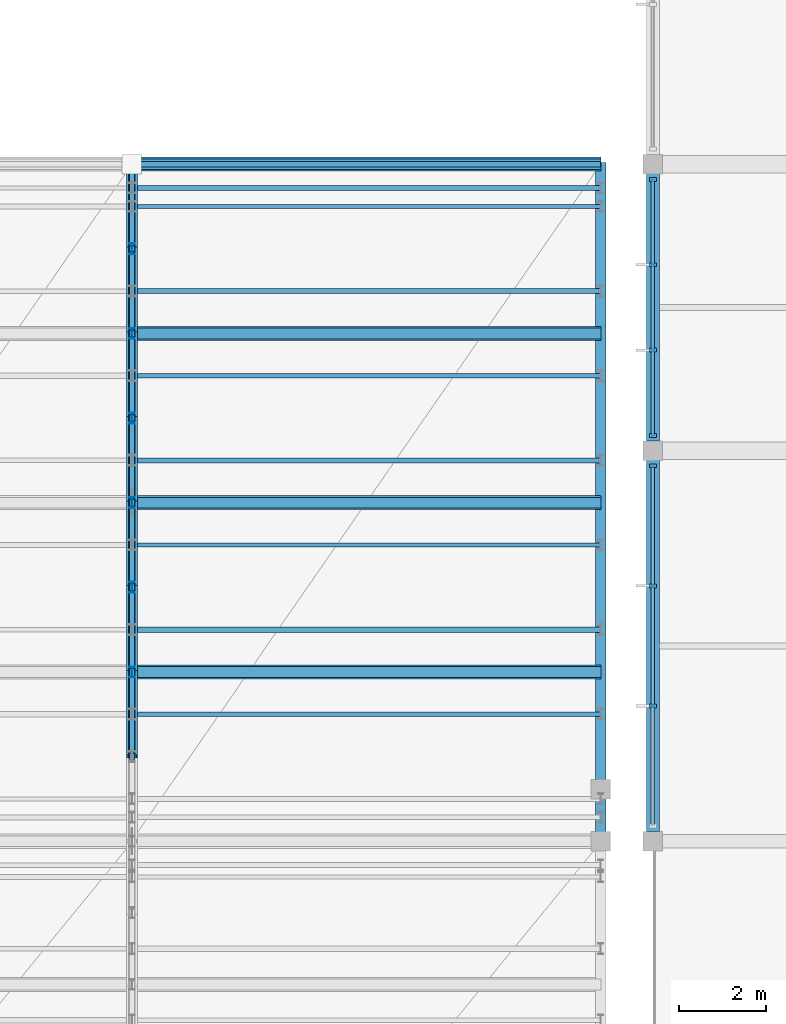
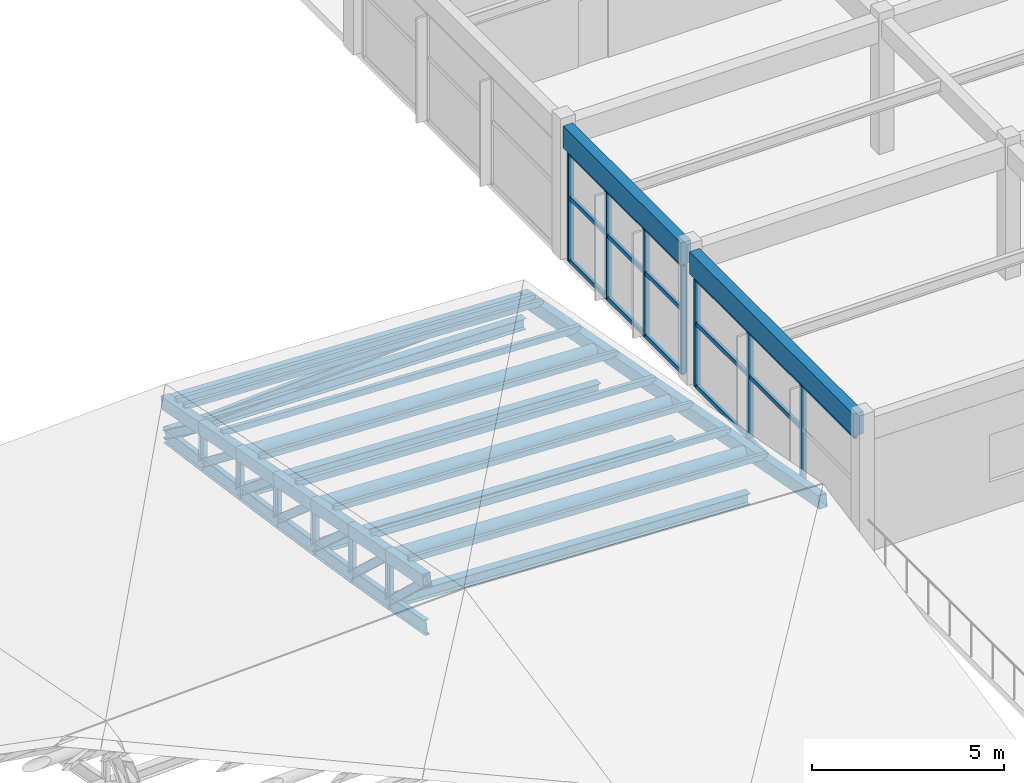
# One storey, part 36 of 89: 49 members, 17 beams, 2 elements without a shape of their own.
"""IFC4 building model written with IfcOpenShell, lengths in metres."""

from ifc_helpers import new_model, si_unit, direction, frame, origin, origin_2d, place, context, subcontext, project, spatial, rectangle, hollow_rectangle, hollow_circle, i_section, extrude, material, material_profile, profile_set, type_object, element, aggregate, save


model = new_model("IFC4")

# Units and contexts
model_context = context("Model", 3, precision=1e-05, world=origin(), true_north=direction((0.0, 1.0)))
body_context = subcontext(model_context, "Body", "Model", "MODEL_VIEW")
ifc_project = project(units=[si_unit("LENGTHUNIT", "METRE"), si_unit("AREAUNIT", "SQUARE_METRE"), si_unit("VOLUMEUNIT", "CUBIC_METRE"), si_unit("PLANEANGLEUNIT", "RADIAN"), si_unit("MASSUNIT", "GRAM", prefix="KILO")], contexts=[model_context])

# Site, building, storey
site_placement = place(None, origin())
site = spatial("IfcSite", under=ifc_project, at=site_placement, CompositionType="ELEMENT")
building_placement = place(site_placement, origin())
building = spatial("IfcBuilding", under=site, at=building_placement, Name="Suirenkawa Promenade Aquatics Centre", CompositionType="ELEMENT")
storey_placement = place(building_placement, frame((0.0, 0.0, 9.60009765625)))
storey = spatial("IfcBuildingStorey", under=building, at=storey_placement, Name="L02", CompositionType="ELEMENT", Elevation=9.60009765625)

# Beams
ifc_material_1 = material(Name="Concrete M40", Category="concrete")
ifc_material_profile_1 = material_profile(ifc_material_1, rectangle(XDim=0.300048828125, YDim=0.699951171875, at=origin_2d()), Name="RC SPANDREL 300x700", Category="concrete")
ifc_profile_set_1 = profile_set([ifc_material_profile_1], Name="Concrete M40")
beam_type_1 = type_object("IfcBeamType", Name="BT-SPANDREL-300x700", PredefinedType="SPANDREL", material=ifc_profile_set_1)
beam_1_placement = place(storey_placement, frame((156.0, 13.4189453125, 3.89990234375), z_axis=(0.0, 1.0, 0.0), x_axis=(-1.0, 0.0, 0.0)))
element("IfcBeam", 1, at=beam_1_placement, inside=storey, type_object=beam_type_1, Name="Floor beam SP-01 BM-1761", PredefinedType="SPANDREL", context=body_context, shape_type="SweptSolid", body=[
    extrude(rectangle(XDim=0.300048828125, YDim=0.699951171875, at=origin_2d()), origin(), (0.0, 0.0, 1.0), 8.56201171875),
])
beam_2_placement = place(storey_placement, frame((156.0, 22.4189453125, 3.89990234375), z_axis=(0.0, 1.0, 0.0), x_axis=(-1.0, 0.0, 0.0)))
element("IfcBeam", 2, at=beam_2_placement, inside=storey, type_object=beam_type_1, Name="Floor beam SP-01 BM-1762", PredefinedType="SPANDREL", context=body_context, shape_type="SweptSolid", body=[
    extrude(rectangle(XDim=0.300048828125, YDim=0.699951171875, at=origin_2d()), origin(), (0.0, 0.0, 1.0), 6.162109375),
])
ifc_material_2 = material(Name="Steel IS 2062 E350 (Grade 350)", Category="steel")
ifc_material_profile_2 = material_profile(ifc_material_2, i_section(OverallWidth=0.14990234375, OverallDepth=0.449951171875, WebThickness=0.009033203125, FlangeThickness=0.01708984375, at=origin_2d()), Name="ISMB 450", Category="steel")
ifc_profile_set_2 = profile_set([ifc_material_profile_2], Name="Steel IS 2062 E350 (Grade 350)")
beam_type_2 = type_object("IfcBeamType", Name="BT-STL-ISMB450", PredefinedType="BEAM", material=ifc_profile_set_2)
beam_3_placement = place(storey_placement, frame((144.0, 15.14990234375, 0.572998046875), z_axis=(0.0, 0.984179886777, -0.177172092787), x_axis=(-1.0, 0.0, 0.0)))
element("IfcBeam", 3, at=beam_3_placement, inside=storey, type_object=beam_type_2, Name="ROOF TRUSS V3 bottom chord BM-08 BM-2786", PredefinedType="BEAM", context=body_context, shape_type="SweptSolid", body=[
    extrude(i_section(OverallWidth=0.14990234375, OverallDepth=0.449951171875, WebThickness=0.009033203125, FlangeThickness=0.01708984375, at=origin_2d()), origin(), (0.0, 0.0, 1.0), 1.9814453125),
])
beam_4_placement = place(storey_placement, frame((144.0, 17.10009765625, 0.221923828125), z_axis=(0.0, 0.98589233015, -0.167380743669), x_axis=(-1.0, 0.0, 0.0)))
element("IfcBeam", 4, at=beam_4_placement, inside=storey, type_object=beam_type_2, Name="ROOF TRUSS V3 bottom chord BM-08 BM-2788", PredefinedType="BEAM", context=body_context, shape_type="SweptSolid", body=[
    extrude(i_section(OverallWidth=0.14990234375, OverallDepth=0.449951171875, WebThickness=0.009033203125, FlangeThickness=0.01708984375, at=origin_2d()), origin(), (0.0, 0.0, 1.0), 1.977783203125),
])
beam_5_placement = place(storey_placement, frame((144.0, 19.050048828125, -0.109130859375), z_axis=(0.0, 0.98728433575, -0.158964273917), x_axis=(-1.0, 0.0, 0.0)))
element("IfcBeam", 5, at=beam_5_placement, inside=storey, type_object=beam_type_2, Name="ROOF TRUSS V3 bottom chord BM-08 BM-2790", PredefinedType="BEAM", context=body_context, shape_type="SweptSolid", body=[
    extrude(i_section(OverallWidth=0.14990234375, OverallDepth=0.449951171875, WebThickness=0.009033203125, FlangeThickness=0.01708984375, at=origin_2d()), origin(), (0.0, 0.0, 1.0), 1.97509765625),
])
beam_6_placement = place(storey_placement, frame((144.0, 21.0, -0.423095703125), z_axis=(0.0, 0.988441697341, -0.151601487322), x_axis=(-1.0, 0.0, 0.0)))
element("IfcBeam", 6, at=beam_6_placement, inside=storey, type_object=beam_type_2, Name="ROOF TRUSS V3 bottom chord BM-08 BM-2792", PredefinedType="BEAM", context=body_context, shape_type="SweptSolid", body=[
    extrude(i_section(OverallWidth=0.14990234375, OverallDepth=0.449951171875, WebThickness=0.009033203125, FlangeThickness=0.01708984375, at=origin_2d()), origin(), (0.0, 0.0, 1.0), 1.97265625),
])
beam_7_placement = place(storey_placement, frame((144.0, 22.949951171875, -0.72216796875), z_axis=(0.0, 0.989422501766, -0.145062445169), x_axis=(-1.0, 0.0, 0.0)))
element("IfcBeam", 7, at=beam_7_placement, inside=storey, type_object=beam_type_2, Name="ROOF TRUSS V3 bottom chord BM-08 BM-2794", PredefinedType="BEAM", context=body_context, shape_type="SweptSolid", body=[
    extrude(i_section(OverallWidth=0.14990234375, OverallDepth=0.449951171875, WebThickness=0.009033203125, FlangeThickness=0.01708984375, at=origin_2d()), origin(), (0.0, 0.0, 1.0), 1.970703125),
])
beam_8_placement = place(storey_placement, frame((144.0, 24.89990234375, -1.008056640625), z_axis=(0.0, 0.989986639719, -0.141161089464), x_axis=(-1.0, 0.0, 0.0)))
element("IfcBeam", 8, at=beam_8_placement, inside=storey, type_object=beam_type_2, Name="ROOF TRUSS V3 bottom chord BM-08 BM-2796", PredefinedType="BEAM", context=body_context, shape_type="SweptSolid", body=[
    extrude(i_section(OverallWidth=0.14990234375, OverallDepth=0.449951171875, WebThickness=0.009033203125, FlangeThickness=0.01708984375, at=origin_2d()), origin(), (0.0, 0.0, 1.0), 1.969970703125),
])
beam_9_placement = place(storey_placement, frame((144.0, 26.85009765625, -1.2861328125), z_axis=(0.0, 0.990276604639, -0.139112351372), x_axis=(-1.0, 0.0, 0.0)))
element("IfcBeam", 9, at=beam_9_placement, inside=storey, type_object=beam_type_2, Name="ROOF TRUSS V3 bottom chord BM-08 BM-2798", PredefinedType="BEAM", context=body_context, shape_type="SweptSolid", body=[
    extrude(i_section(OverallWidth=0.14990234375, OverallDepth=0.449951171875, WebThickness=0.009033203125, FlangeThickness=0.01708984375, at=origin_2d()), origin(), (0.0, 0.0, 1.0), 1.968994140625),
])
ifc_material_profile_3 = material_profile(ifc_material_2, hollow_rectangle(XDim=0.25, YDim=0.39990234375, WallThickness=0.01611328125, at=origin_2d()), Name="RHS 400x250x16", Category="steel")
ifc_profile_set_3 = profile_set([ifc_material_profile_3], Name="Steel IS 2062 E350 (Grade 350)")
beam_type_3 = type_object("IfcBeamType", Name="BT-TC-RHS400", PredefinedType="BEAM", material=ifc_profile_set_3)
for number, where, z_axis, x_axis, name in (
    (10, (144.0, 15.14990234375, 2.07080078125), (0.0, 0.982665459521, -0.185387687468), (-1.0, 0.0, 0.0), "ROOF TRUSS V3 top chord TC-03 BM-2785"),
    (11, (144.0, 17.10009765625, 1.702880859375), (0.0, 0.982571460273, -0.185885248087), (-1.0, 0.0, 0.0), "ROOF TRUSS V3 top chord TC-03 BM-2787"),
    (12, (144.0, 19.050048828125, 1.333984375), (0.0, 0.98254898431, -0.186004014558), (-1.0, 0.0, 0.0), "ROOF TRUSS V3 top chord TC-03 BM-2789"),
    (13, (144.0, 21.0, 0.96484375), (0.0, 0.982571460273, -0.185885248087), (-1.0, 0.0, 0.0), "ROOF TRUSS V3 top chord TC-03 BM-2791"),
):
    element("IfcBeam", number, at=place(storey_placement, frame(where, z_axis=z_axis, x_axis=x_axis)), inside=storey, type_object=beam_type_3, Name=name, PredefinedType="BEAM", context=body_context, shape_type="SweptSolid", body=[
        extrude(hollow_rectangle(XDim=0.25, YDim=0.39990234375, WallThickness=0.01611328125, at=origin_2d()), origin(), (0.0, 0.0, 1.0), 1.984619140625),
    ])
beam_10_placement = place(storey_placement, frame((144.0, 22.949951171875, 0.595947265625), z_axis=(0.0, 0.982638808178, -0.185528899804), x_axis=(-1.0, 0.0, 0.0)))
element("IfcBeam", 14, at=beam_10_placement, inside=storey, type_object=beam_type_3, Name="ROOF TRUSS V3 top chord TC-03 BM-2793", PredefinedType="BEAM", context=body_context, shape_type="SweptSolid", body=[
    extrude(hollow_rectangle(XDim=0.25, YDim=0.39990234375, WallThickness=0.01611328125, at=origin_2d()), origin(), (0.0, 0.0, 1.0), 1.984375),
])
beam_11_placement = place(storey_placement, frame((144.0, 24.89990234375, 0.227783203125), z_axis=(0.0, 0.982575710299, -0.185862781455), x_axis=(-1.0, 0.0, 0.0)))
element("IfcBeam", 15, at=beam_11_placement, inside=storey, type_object=beam_type_3, Name="ROOF TRUSS V3 top chord TC-03 BM-2795", PredefinedType="BEAM", context=body_context, shape_type="SweptSolid", body=[
    extrude(hollow_rectangle(XDim=0.25, YDim=0.39990234375, WallThickness=0.01611328125, at=origin_2d()), origin(), (0.0, 0.0, 1.0), 1.98486328125),
])
beam_12_placement = place(storey_placement, frame((144.0, 26.85009765625, -0.14111328125), z_axis=(0.0, 0.982571460273, -0.185885248087), x_axis=(-1.0, 0.0, 0.0)))
element("IfcBeam", 16, at=beam_12_placement, inside=storey, type_object=beam_type_3, Name="ROOF TRUSS V3 top chord TC-03 BM-2797", PredefinedType="BEAM", context=body_context, shape_type="SweptSolid", body=[
    extrude(hollow_rectangle(XDim=0.25, YDim=0.39990234375, WallThickness=0.01611328125, at=origin_2d()), origin(), (0.0, 0.0, 1.0), 1.984619140625),
])
beam_13_placement = place(storey_placement, frame((154.800048828125, 13.199951171875, 1.989990234375), z_axis=(0.0, 0.982583755241, -0.185820246304), x_axis=(-1.0, 0.0, 0.0)))
element("IfcBeam", 17, at=beam_13_placement, inside=storey, type_object=beam_type_3, Name="ROOF TRUSS V3 top chord TC-03 BM-2800", PredefinedType="BEAM", context=body_context, shape_type="SweptSolid", body=[
    extrude(hollow_rectangle(XDim=0.25, YDim=0.39990234375, WallThickness=0.01611328125, at=origin_2d()), origin(), (0.0, 0.0, 1.0), 15.876708984375),
])

# Curtain wall, members
ifc_material_3 = material(Name="Anodised aluminium 6063-T6", Category="aluminium")
curtain_wall_type_1 = type_object("IfcCurtainWallType", Name="CWAT-V4WL02-36", PredefinedType="NOTDEFINED", material=ifc_material_3)
curtain_wall_1_placement = place(storey_placement, origin())
curtain_wall_1 = element("IfcCurtainWall", 18, at=curtain_wall_1_placement, inside=storey, type_object=curtain_wall_type_1, Name="Curtain wall CWA-36 CW-079", PredefinedType="NOTDEFINED")
ifc_material_profile_4 = material_profile(ifc_material_3, rectangle(XDim=0.090087890625, YDim=0.159912109375, at=origin_2d()), Name="ALU MULL 90x160", Category="aluminium")
ifc_profile_set_4 = profile_set([ifc_material_profile_4], Name="Anodised aluminium 6063-T6")
member_type_1 = type_object("IfcMemberType", Name="CWM-160x90", PredefinedType="MULLION", material=ifc_profile_set_4)
member_1_placement = place(storey_placement, frame((156.0, 16.31640625, 0.0), z_axis=(0.0, 0.0, 1.0), x_axis=(0.0, 1.0, 0.0)))
member_1 = element("IfcMember", 19, at=member_1_placement, type_object=member_type_1, Name="Mullion ML-03 CWM-01568", PredefinedType="MULLION", context=body_context, shape_type="SweptSolid", body=[
    extrude(rectangle(XDim=0.090087890625, YDim=0.159912109375, at=origin_2d()), origin(), (0.0, 0.0, 1.0), 3.419921875),
])
member_2_placement = place(storey_placement, frame((156.0, 19.083740234375, 0.0), z_axis=(0.0, 0.0, 1.0), x_axis=(0.0, 1.0, 0.0)))
member_2 = element("IfcMember", 20, at=member_2_placement, type_object=member_type_1, Name="Mullion ML-03 CWM-01569", PredefinedType="MULLION", context=body_context, shape_type="SweptSolid", body=[
    extrude(rectangle(XDim=0.090087890625, YDim=0.159912109375, at=origin_2d()), origin(), (0.0, 0.0, 1.0), 3.419921875),
])
member_3_placement = place(storey_placement, frame((156.0, 21.85107421875, 0.0), z_axis=(0.0, 0.0, 1.0), x_axis=(0.0, 1.0, 0.0)))
member_3 = element("IfcMember", 21, at=member_3_placement, type_object=member_type_1, Name="Mullion ML-03 CWM-01570", PredefinedType="MULLION", context=body_context, shape_type="SweptSolid", body=[
    extrude(rectangle(XDim=0.090087890625, YDim=0.159912109375, at=origin_2d()), origin(), (0.0, 0.0, 1.0), 3.419921875),
])

curtain_wall_type_2 = type_object("IfcCurtainWallType", Name="CWAT-V4WL02-38", PredefinedType="NOTDEFINED", material=ifc_material_3)
curtain_wall_2_placement = place(storey_placement, origin())
curtain_wall_2 = element("IfcCurtainWall", 22, at=curtain_wall_2_placement, inside=storey, type_object=curtain_wall_type_2, Name="Curtain wall CWA-38 CW-081", PredefinedType="NOTDEFINED")
member_4_placement = place(storey_placement, frame((156.0, 22.549072265625, 0.0), z_axis=(0.0, 0.0, 1.0), x_axis=(0.0, 1.0, 0.0)))
member_4 = element("IfcMember", 23, at=member_4_placement, type_object=member_type_1, Name="Mullion ML-03 CWM-01601", PredefinedType="MULLION", context=body_context, shape_type="SweptSolid", body=[
    extrude(rectangle(XDim=0.090087890625, YDim=0.159912109375, at=origin_2d()), origin(), (0.0, 0.0, 1.0), 3.419921875),
])
member_5_placement = place(storey_placement, frame((156.0, 24.516357421875, 0.0), z_axis=(0.0, 0.0, 1.0), x_axis=(0.0, 1.0, 0.0)))
member_5 = element("IfcMember", 24, at=member_5_placement, type_object=member_type_1, Name="Mullion ML-03 CWM-01602", PredefinedType="MULLION", context=body_context, shape_type="SweptSolid", body=[
    extrude(rectangle(XDim=0.090087890625, YDim=0.159912109375, at=origin_2d()), origin(), (0.0, 0.0, 1.0), 3.419921875),
])
member_6_placement = place(storey_placement, frame((156.0, 26.483642578125, 0.0), z_axis=(0.0, 0.0, 1.0), x_axis=(0.0, 1.0, 0.0)))
member_6 = element("IfcMember", 25, at=member_6_placement, type_object=member_type_1, Name="Mullion ML-03 CWM-01603", PredefinedType="MULLION", context=body_context, shape_type="SweptSolid", body=[
    extrude(rectangle(XDim=0.090087890625, YDim=0.159912109375, at=origin_2d()), origin(), (0.0, 0.0, 1.0), 3.419921875),
])
member_7_placement = place(storey_placement, frame((156.0, 28.450927734375, 0.0), z_axis=(0.0, 0.0, 1.0), x_axis=(0.0, 1.0, 0.0)))
member_7 = element("IfcMember", 26, at=member_7_placement, type_object=member_type_1, Name="Mullion ML-03 CWM-01604", PredefinedType="MULLION", context=body_context, shape_type="SweptSolid", body=[
    extrude(rectangle(XDim=0.090087890625, YDim=0.159912109375, at=origin_2d()), origin(), (0.0, 0.0, 1.0), 3.419921875),
])

# Member
ifc_material_profile_5 = material_profile(ifc_material_3, rectangle(XDim=0.090087890625, YDim=0.1298828125, at=origin_2d()), Name="ALU TRAN 90x130", Category="aluminium")
ifc_profile_set_5 = profile_set([ifc_material_profile_5], Name="Anodised aluminium 6063-T6")
member_type_2 = type_object("IfcMemberType", Name="CWT-130x90", PredefinedType="USERDEFINED", material=ifc_profile_set_5)
member_8_placement = place(storey_placement, frame((156.0, 16.31640625, 0.0), z_axis=(0.0, 1.0, 0.0), x_axis=(-1.0, 0.0, 0.0)))
member_8 = element("IfcMember", 27, at=member_8_placement, type_object=member_type_2, Name="Transom TR-03 CWT-01572", ObjectType="TRANSOM", PredefinedType="USERDEFINED", context=body_context, shape_type="SweptSolid", body=[
    extrude(rectangle(XDim=0.090087890625, YDim=0.1298828125, at=origin_2d()), origin(), (0.0, 0.0, 1.0), 2.767333984375),
])

member_9_placement = place(storey_placement, frame((156.0, 19.083740234375, 0.0), z_axis=(0.0, 1.0, 0.0), x_axis=(-1.0, 0.0, 0.0)))
member_9 = element("IfcMember", 28, at=member_9_placement, type_object=member_type_2, Name="Transom TR-03 CWT-01573", ObjectType="TRANSOM", PredefinedType="USERDEFINED", context=body_context, shape_type="SweptSolid", body=[
    extrude(rectangle(XDim=0.090087890625, YDim=0.1298828125, at=origin_2d()), origin(), (0.0, 0.0, 1.0), 2.767333984375),
])

member_10_placement = place(storey_placement, frame((156.0, 16.31640625, 2.0), z_axis=(0.0, 1.0, 0.0), x_axis=(-1.0, 0.0, 0.0)))
member_10 = element("IfcMember", 29, at=member_10_placement, type_object=member_type_2, Name="Transom TR-03 CWT-01575", ObjectType="TRANSOM", PredefinedType="USERDEFINED", context=body_context, shape_type="SweptSolid", body=[
    extrude(rectangle(XDim=0.090087890625, YDim=0.1298828125, at=origin_2d()), origin(), (0.0, 0.0, 1.0), 2.767333984375),
])

member_11_placement = place(storey_placement, frame((156.0, 19.083740234375, 2.0), z_axis=(0.0, 1.0, 0.0), x_axis=(-1.0, 0.0, 0.0)))
member_11 = element("IfcMember", 30, at=member_11_placement, type_object=member_type_2, Name="Transom TR-03 CWT-01576", ObjectType="TRANSOM", PredefinedType="USERDEFINED", context=body_context, shape_type="SweptSolid", body=[
    extrude(rectangle(XDim=0.090087890625, YDim=0.1298828125, at=origin_2d()), origin(), (0.0, 0.0, 1.0), 2.767333984375),
])

member_12_placement = place(storey_placement, frame((156.0, 13.549072265625, 3.419921875), z_axis=(0.0, 1.0, 0.0), x_axis=(-1.0, 0.0, 0.0)))
member_12 = element("IfcMember", 31, at=member_12_placement, type_object=member_type_2, Name="Roofline transom TR-03 CWT-01577", ObjectType="TRANSOM", PredefinedType="USERDEFINED", context=body_context, shape_type="SweptSolid", body=[
    extrude(rectangle(XDim=0.090087890625, YDim=0.1298828125, at=origin_2d()), origin(), (0.0, 0.0, 1.0), 8.302001953125),
])

aggregate(curtain_wall_1, [member_1, member_2, member_3, member_8, member_9, member_10, member_11, member_12])

member_13_placement = place(storey_placement, frame((156.0, 22.549072265625, 0.0), z_axis=(0.0, 1.0, 0.0), x_axis=(-1.0, 0.0, 0.0)))
member_13 = element("IfcMember", 32, at=member_13_placement, type_object=member_type_2, Name="Transom TR-03 CWT-01605", ObjectType="TRANSOM", PredefinedType="USERDEFINED", context=body_context, shape_type="SweptSolid", body=[
    extrude(rectangle(XDim=0.090087890625, YDim=0.1298828125, at=origin_2d()), origin(), (0.0, 0.0, 1.0), 1.96728515625),
])

member_14_placement = place(storey_placement, frame((156.0, 24.516357421875, 0.0), z_axis=(0.0, 1.0, 0.0), x_axis=(-1.0, 0.0, 0.0)))
member_14 = element("IfcMember", 33, at=member_14_placement, type_object=member_type_2, Name="Transom TR-03 CWT-01606", ObjectType="TRANSOM", PredefinedType="USERDEFINED", context=body_context, shape_type="SweptSolid", body=[
    extrude(rectangle(XDim=0.090087890625, YDim=0.1298828125, at=origin_2d()), origin(), (0.0, 0.0, 1.0), 1.96728515625),
])

member_15_placement = place(storey_placement, frame((156.0, 26.483642578125, 0.0), z_axis=(0.0, 1.0, 0.0), x_axis=(-1.0, 0.0, 0.0)))
member_15 = element("IfcMember", 34, at=member_15_placement, type_object=member_type_2, Name="Transom TR-03 CWT-01607", ObjectType="TRANSOM", PredefinedType="USERDEFINED", context=body_context, shape_type="SweptSolid", body=[
    extrude(rectangle(XDim=0.090087890625, YDim=0.1298828125, at=origin_2d()), origin(), (0.0, 0.0, 1.0), 1.96728515625),
])

member_16_placement = place(storey_placement, frame((156.0, 22.549072265625, 2.0), z_axis=(0.0, 1.0, 0.0), x_axis=(-1.0, 0.0, 0.0)))
member_16 = element("IfcMember", 35, at=member_16_placement, type_object=member_type_2, Name="Transom TR-03 CWT-01608", ObjectType="TRANSOM", PredefinedType="USERDEFINED", context=body_context, shape_type="SweptSolid", body=[
    extrude(rectangle(XDim=0.090087890625, YDim=0.1298828125, at=origin_2d()), origin(), (0.0, 0.0, 1.0), 1.96728515625),
])

member_17_placement = place(storey_placement, frame((156.0, 24.516357421875, 2.0), z_axis=(0.0, 1.0, 0.0), x_axis=(-1.0, 0.0, 0.0)))
member_17 = element("IfcMember", 36, at=member_17_placement, type_object=member_type_2, Name="Transom TR-03 CWT-01609", ObjectType="TRANSOM", PredefinedType="USERDEFINED", context=body_context, shape_type="SweptSolid", body=[
    extrude(rectangle(XDim=0.090087890625, YDim=0.1298828125, at=origin_2d()), origin(), (0.0, 0.0, 1.0), 1.96728515625),
])

member_18_placement = place(storey_placement, frame((156.0, 26.483642578125, 2.0), z_axis=(0.0, 1.0, 0.0), x_axis=(-1.0, 0.0, 0.0)))
member_18 = element("IfcMember", 37, at=member_18_placement, type_object=member_type_2, Name="Transom TR-03 CWT-01610", ObjectType="TRANSOM", PredefinedType="USERDEFINED", context=body_context, shape_type="SweptSolid", body=[
    extrude(rectangle(XDim=0.090087890625, YDim=0.1298828125, at=origin_2d()), origin(), (0.0, 0.0, 1.0), 1.96728515625),
])

member_19_placement = place(storey_placement, frame((156.0, 22.549072265625, 3.419921875), z_axis=(0.0, 1.0, 0.0), x_axis=(-1.0, 0.0, 0.0)))
member_19 = element("IfcMember", 38, at=member_19_placement, type_object=member_type_2, Name="Roofline transom TR-03 CWT-01611", ObjectType="TRANSOM", PredefinedType="USERDEFINED", context=body_context, shape_type="SweptSolid", body=[
    extrude(rectangle(XDim=0.090087890625, YDim=0.1298828125, at=origin_2d()), origin(), (0.0, 0.0, 1.0), 5.90185546875),
])

aggregate(curtain_wall_2, [member_4, member_5, member_6, member_7, member_13, member_14, member_15, member_16, member_17, member_18, member_19])

# Members
ifc_material_profile_6 = material_profile(ifc_material_2, hollow_circle(Radius=0.162109375, WallThickness=0.013916015625, at=origin_2d()), Name="CHS 324x14", Category="steel")
ifc_profile_set_6 = profile_set([ifc_material_profile_6], Name="Steel IS 2062 E350 (Grade 350)")
member_type_3 = type_object("IfcMemberType", Name="MT-CHORD-CHS324", PredefinedType="CHORD", material=ifc_profile_set_6)
for number, where, z_axis, x_axis, name in (
    (39, (144.0, 28.800048828125, -0.510009765625), (0.999132329203, 0.0, -0.041648394219), (0.0, 1.0, 0.0), "ROOF TRUSS V3 eave top chord CH-01 MB-1532"),
    (40, (144.0, 17.10009765625, 1.702880859375), (0.9991332688, 0.0, -0.041625847467), (0.0, 1.0, 0.0), "ROOF TRUSS V3 tie chord CH-01 MB-1603"),
    (41, (144.0, 21.0, 0.96484375), (0.9991332688, 0.0, -0.041625847467), (0.0, 1.0, 0.0), "ROOF TRUSS V3 tie chord CH-01 MB-1617"),
    (42, (144.0, 24.89990234375, 0.227783203125), (0.9991332688, 0.0, -0.041625847467), (0.0, 1.0, 0.0), "ROOF TRUSS V3 tie chord CH-01 MB-1631"),
):
    element("IfcMember", number, at=place(storey_placement, frame(where, z_axis=z_axis, x_axis=x_axis)), inside=storey, type_object=member_type_3, Name=name, PredefinedType="CHORD", context=body_context, shape_type="SweptSolid", body=[
        extrude(hollow_circle(Radius=0.162109375, WallThickness=0.013916015625, at=origin_2d()), origin(), (0.0, 0.0, 1.0), 10.809326171875),
    ])
ifc_material_profile_7 = material_profile(ifc_material_2, i_section(OverallWidth=0.25, OverallDepth=0.35009765625, WebThickness=0.010009765625, FlangeThickness=0.011962890625, at=origin_2d()), Name="ISHB 350", Category="steel")
ifc_profile_set_7 = profile_set([ifc_material_profile_7], Name="Steel IS 2062 E350 (Grade 350)")
member_type_4 = type_object("IfcMemberType", Name="MT-CHORD-ISHB350", PredefinedType="CHORD", material=ifc_profile_set_7)
member_20_placement = place(storey_placement, frame((144.0, 28.800048828125, -1.56005859375), z_axis=(0.99984538304, 0.0, -0.01758436847), x_axis=(0.0, 1.0, 0.0)))
element("IfcMember", 43, at=member_20_placement, inside=storey, type_object=member_type_4, Name="ROOF TRUSS V3 eave bottom chord CH-04 MB-1533", PredefinedType="CHORD", context=body_context, shape_type="SweptSolid", body=[
    extrude(i_section(OverallWidth=0.25, OverallDepth=0.35009765625, WebThickness=0.010009765625, FlangeThickness=0.011962890625, at=origin_2d()), origin(), (0.0, 0.0, 1.0), 10.8017578125),
])
for number, where, z_axis, x_axis, name in (
    (44, (144.0, 17.10009765625, 0.221923828125), (0.9991332688, 0.0, -0.041625847467), (0.0, 1.0, 0.0), "ROOF TRUSS V3 bottom tie CH-04 MB-1604"),
    (45, (144.0, 21.0, -0.423095703125), (0.9991332688, 0.0, -0.041625847467), (0.0, 1.0, 0.0), "ROOF TRUSS V3 bottom tie CH-04 MB-1618"),
    (46, (144.0, 24.89990234375, -1.008056640625), (0.9991332688, 0.0, -0.041625847467), (0.0, 1.0, 0.0), "ROOF TRUSS V3 bottom tie CH-04 MB-1632"),
):
    element("IfcMember", number, at=place(storey_placement, frame(where, z_axis=z_axis, x_axis=x_axis)), inside=storey, type_object=member_type_4, Name=name, PredefinedType="CHORD", context=body_context, shape_type="SweptSolid", body=[
        extrude(i_section(OverallWidth=0.25, OverallDepth=0.35009765625, WebThickness=0.010009765625, FlangeThickness=0.011962890625, at=origin_2d()), origin(), (0.0, 0.0, 1.0), 10.809326171875),
    ])
ifc_material_profile_8 = material_profile(ifc_material_2, hollow_rectangle(XDim=0.10009765625, YDim=0.179931640625, WallThickness=0.008056640625, at=origin_2d()), Name="RHS 180x100x8", Category="steel")
ifc_profile_set_8 = profile_set([ifc_material_profile_8], Name="Steel IS 2062 E350 (Grade 350)")
member_type_5 = type_object("IfcMemberType", Name="MT-PURLIN-RHS180", PredefinedType="PURLIN", material=ifc_profile_set_8)
for number, where, z_axis, x_axis, name in (
    (47, (144.0, 16.125, 2.139892578125), (0.9991332688, 0.0, -0.041625847467), (0.0, 1.0, 0.0), "ROOF TRUSS Roof purlin PU-01 MB-2889"),
    (48, (144.0, 20.02490234375, 1.40185546875), (0.9991332688, 0.0, -0.041625847467), (0.0, 1.0, 0.0), "ROOF TRUSS Roof purlin PU-01 MB-2893"),
    (49, (144.0, 23.925048828125, 0.664794921875), (0.9991332688, 0.0, -0.041625847467), (0.0, 1.0, 0.0), "ROOF TRUSS Roof purlin PU-01 MB-2897"),
    (50, (144.0, 27.824951171875, -0.072998046875), (0.999132329203, 0.0, -0.041648394219), (0.0, 1.0, 0.0), "ROOF TRUSS Roof purlin PU-01 MB-2901"),
):
    element("IfcMember", number, at=place(storey_placement, frame(where, z_axis=z_axis, x_axis=x_axis)), inside=storey, type_object=member_type_5, Name=name, PredefinedType="PURLIN", context=body_context, shape_type="SweptSolid", body=[
        extrude(hollow_rectangle(XDim=0.10009765625, YDim=0.179931640625, WallThickness=0.008056640625, at=origin_2d()), origin(), (0.0, 0.0, 1.0), 10.809326171875),
    ])
ifc_material_profile_9 = material_profile(ifc_material_2, hollow_rectangle(XDim=0.1201171875, YDim=0.199951171875, WallThickness=0.008056640625, at=origin_2d()), Name="RHS 200x120x8", Category="steel")
ifc_profile_set_9 = profile_set([ifc_material_profile_9], Name="Steel IS 2062 E350 (Grade 350)")
member_type_6 = type_object("IfcMemberType", Name="MT-PURLIN-RHS200", PredefinedType="PURLIN", material=ifc_profile_set_9)
for number, where, z_axis, x_axis, name in (
    (51, (144.0, 18.074951171875, 1.7587890625), (0.9991332688, 0.0, -0.041625847467), (0.0, 1.0, 0.0), "ROOF TRUSS Roof purlin PU-02 MB-2891"),
    (52, (144.0, 21.97509765625, 1.02197265625), (0.9991332688, 0.0, -0.041625847467), (0.0, 1.0, 0.0), "ROOF TRUSS Roof purlin PU-02 MB-2895"),
    (53, (144.0, 25.875, 0.283935546875), (0.9991332688, 0.0, -0.041625847467), (0.0, 1.0, 0.0), "ROOF TRUSS Roof purlin PU-02 MB-2899"),
    (54, (144.0, 28.25, -0.1650390625), (0.9991332688, 0.0, -0.041625847467), (0.0, 1.0, 0.0), "ROOF TRUSS Roof purlin PU-02 MB-2903"),
):
    element("IfcMember", number, at=place(storey_placement, frame(where, z_axis=z_axis, x_axis=x_axis)), inside=storey, type_object=member_type_6, Name=name, PredefinedType="PURLIN", context=body_context, shape_type="SweptSolid", body=[
        extrude(hollow_rectangle(XDim=0.1201171875, YDim=0.199951171875, WallThickness=0.008056640625, at=origin_2d()), origin(), (0.0, 0.0, 1.0), 10.809326171875),
    ])
ifc_material_profile_10 = material_profile(ifc_material_2, i_section(OverallWidth=0.125, OverallDepth=0.25, WebThickness=0.007080078125, FlangeThickness=0.012939453125, at=origin_2d()), Name="ISMB 250", Category="steel")
ifc_profile_set_10 = profile_set([ifc_material_profile_10], Name="Steel IS 2062 E350 (Grade 350)")
member_type_7 = type_object("IfcMemberType", Name="MT-WEB-CHS168", PredefinedType="BRACE", material=ifc_profile_set_10)
member_21_placement = place(storey_placement, frame((144.0, 15.14990234375, 2.07080078125), z_axis=(0.0, 0.725706746717, -0.688004155344), x_axis=(-1.0, 0.0, 0.0)))
element("IfcMember", 55, at=member_21_placement, inside=storey, type_object=member_type_7, Name="ROOF TRUSS V3 web diagonal TD-03 MB-1471", PredefinedType="BRACE", context=body_context, shape_type="SweptSolid", body=[
    extrude(i_section(OverallWidth=0.125, OverallDepth=0.25, WebThickness=0.007080078125, FlangeThickness=0.012939453125, at=origin_2d()), origin(), (0.0, 0.0, 1.0), 2.687255859375),
])
member_22_placement = place(storey_placement, frame((144.0, 17.10009765625, 1.702880859375), z_axis=(0.0, 0.732541911436, -0.680721931474), x_axis=(-1.0, 0.0, 0.0)))
element("IfcMember", 56, at=member_22_placement, inside=storey, type_object=member_type_7, Name="ROOF TRUSS V3 web diagonal TD-03 MB-1472", PredefinedType="BRACE", context=body_context, shape_type="SweptSolid", body=[
    extrude(i_section(OverallWidth=0.125, OverallDepth=0.25, WebThickness=0.007080078125, FlangeThickness=0.012939453125, at=origin_2d()), origin(), (0.0, 0.0, 1.0), 2.661865234375),
])
member_23_placement = place(storey_placement, frame((144.0, 19.050048828125, 1.333984375), z_axis=(0.0, 0.742891642365, -0.669411687756), x_axis=(-1.0, 0.0, 0.0)))
element("IfcMember", 57, at=member_23_placement, inside=storey, type_object=member_type_7, Name="ROOF TRUSS V3 web diagonal TD-03 MB-1473", PredefinedType="BRACE", context=body_context, shape_type="SweptSolid", body=[
    extrude(i_section(OverallWidth=0.125, OverallDepth=0.25, WebThickness=0.007080078125, FlangeThickness=0.012939453125, at=origin_2d()), origin(), (0.0, 0.0, 1.0), 2.624755859375),
])
member_24_placement = place(storey_placement, frame((144.0, 21.0, 0.96484375), z_axis=(0.0, 0.756254271499, -0.654277828479), x_axis=(-1.0, 0.0, 0.0)))
element("IfcMember", 58, at=member_24_placement, inside=storey, type_object=member_type_7, Name="ROOF TRUSS V3 web diagonal TD-03 MB-1474", PredefinedType="BRACE", context=body_context, shape_type="SweptSolid", body=[
    extrude(i_section(OverallWidth=0.125, OverallDepth=0.25, WebThickness=0.007080078125, FlangeThickness=0.012939453125, at=origin_2d()), origin(), (0.0, 0.0, 1.0), 2.578369140625),
])
member_25_placement = place(storey_placement, frame((144.0, 22.949951171875, 0.595947265625), z_axis=(0.0, 0.772287379576, -0.635273329637), x_axis=(-1.0, 0.0, 0.0)))
element("IfcMember", 59, at=member_25_placement, inside=storey, type_object=member_type_7, Name="ROOF TRUSS V3 web diagonal TD-03 MB-1475", PredefinedType="BRACE", context=body_context, shape_type="SweptSolid", body=[
    extrude(i_section(OverallWidth=0.125, OverallDepth=0.25, WebThickness=0.007080078125, FlangeThickness=0.012939453125, at=origin_2d()), origin(), (0.0, 0.0, 1.0), 2.52490234375),
])
member_26_placement = place(storey_placement, frame((144.0, 24.89990234375, 0.227783203125), z_axis=(0.0, 0.789921627577, -0.613207813295), x_axis=(-1.0, 0.0, 0.0)))
element("IfcMember", 60, at=member_26_placement, inside=storey, type_object=member_type_7, Name="ROOF TRUSS V3 web diagonal TD-03 MB-1476", PredefinedType="BRACE", context=body_context, shape_type="SweptSolid", body=[
    extrude(i_section(OverallWidth=0.125, OverallDepth=0.25, WebThickness=0.007080078125, FlangeThickness=0.012939453125, at=origin_2d()), origin(), (0.0, 0.0, 1.0), 2.46875),
])
member_27_placement = place(storey_placement, frame((144.0, 26.85009765625, -0.14111328125), z_axis=(0.0, 0.808578454172, -0.58838837807), x_axis=(-1.0, 0.0, 0.0)))
element("IfcMember", 61, at=member_27_placement, inside=storey, type_object=member_type_7, Name="ROOF TRUSS V3 web diagonal TD-03 MB-1477", PredefinedType="BRACE", context=body_context, shape_type="SweptSolid", body=[
    extrude(i_section(OverallWidth=0.125, OverallDepth=0.25, WebThickness=0.007080078125, FlangeThickness=0.012939453125, at=origin_2d()), origin(), (0.0, 0.0, 1.0), 2.41162109375),
])
member_28_placement = place(storey_placement, frame((144.0, 17.10009765625, 0.221923828125), z_axis=(0.0, 0.0, 1.0), x_axis=(1.0, 0.0, 0.0)))
element("IfcMember", 62, at=member_28_placement, inside=storey, type_object=member_type_7, Name="ROOF TRUSS V3 web post TD-03 MB-1487", PredefinedType="BRACE", context=body_context, shape_type="SweptSolid", body=[
    extrude(i_section(OverallWidth=0.125, OverallDepth=0.25, WebThickness=0.007080078125, FlangeThickness=0.012939453125, at=origin_2d()), origin(), (0.0, 0.0, 1.0), 1.48095703125),
])
member_29_placement = place(storey_placement, frame((144.0, 19.050048828125, -0.109130859375), z_axis=(0.0, 0.0, 1.0), x_axis=(1.0, 0.0, 0.0)))
element("IfcMember", 63, at=member_29_placement, inside=storey, type_object=member_type_7, Name="ROOF TRUSS V3 web post TD-03 MB-1488", PredefinedType="BRACE", context=body_context, shape_type="SweptSolid", body=[
    extrude(i_section(OverallWidth=0.125, OverallDepth=0.25, WebThickness=0.007080078125, FlangeThickness=0.012939453125, at=origin_2d()), origin(), (0.0, 0.0, 1.0), 1.443115234375),
])
member_30_placement = place(storey_placement, frame((144.0, 21.0, -0.423095703125), z_axis=(0.0, 0.0, 1.0), x_axis=(1.0, 0.0, 0.0)))
element("IfcMember", 64, at=member_30_placement, inside=storey, type_object=member_type_7, Name="ROOF TRUSS V3 web post TD-03 MB-1489", PredefinedType="BRACE", context=body_context, shape_type="SweptSolid", body=[
    extrude(i_section(OverallWidth=0.125, OverallDepth=0.25, WebThickness=0.007080078125, FlangeThickness=0.012939453125, at=origin_2d()), origin(), (0.0, 0.0, 1.0), 1.387939453125),
])
member_31_placement = place(storey_placement, frame((144.0, 22.949951171875, -0.72216796875), z_axis=(0.0, 0.0, 1.0), x_axis=(1.0, 0.0, 0.0)))
element("IfcMember", 65, at=member_31_placement, inside=storey, type_object=member_type_7, Name="ROOF TRUSS V3 web post TD-03 MB-1490", PredefinedType="BRACE", context=body_context, shape_type="SweptSolid", body=[
    extrude(i_section(OverallWidth=0.125, OverallDepth=0.25, WebThickness=0.007080078125, FlangeThickness=0.012939453125, at=origin_2d()), origin(), (0.0, 0.0, 1.0), 1.318115234375),
])
member_32_placement = place(storey_placement, frame((144.0, 24.89990234375, -1.008056640625), z_axis=(0.0, 0.0, 1.0), x_axis=(1.0, 0.0, 0.0)))
element("IfcMember", 66, at=member_32_placement, inside=storey, type_object=member_type_7, Name="ROOF TRUSS V3 web post TD-03 MB-1491", PredefinedType="BRACE", context=body_context, shape_type="SweptSolid", body=[
    extrude(i_section(OverallWidth=0.125, OverallDepth=0.25, WebThickness=0.007080078125, FlangeThickness=0.012939453125, at=origin_2d()), origin(), (0.0, 0.0, 1.0), 1.23583984375),
])
member_33_placement = place(storey_placement, frame((144.0, 26.85009765625, -1.2861328125), z_axis=(0.0, 0.0, 1.0), x_axis=(1.0, 0.0, 0.0)))
element("IfcMember", 67, at=member_33_placement, inside=storey, type_object=member_type_7, Name="ROOF TRUSS V3 web post TD-03 MB-1492", PredefinedType="BRACE", context=body_context, shape_type="SweptSolid", body=[
    extrude(i_section(OverallWidth=0.125, OverallDepth=0.25, WebThickness=0.007080078125, FlangeThickness=0.012939453125, at=origin_2d()), origin(), (0.0, 0.0, 1.0), 1.14501953125),
])
member_34_placement = place(storey_placement, frame((144.0, 28.800048828125, -1.56005859375), z_axis=(0.998461117043, 0.0, 0.055456268838), x_axis=(0.0, 1.0, 0.0)))
element("IfcMember", 68, at=member_34_placement, inside=storey, type_object=member_type_7, Name="ROOF TRUSS V3 eave web diagonal TD-03 MB-1534", PredefinedType="BRACE", context=body_context, shape_type="SweptSolid", body=[
    extrude(i_section(OverallWidth=0.125, OverallDepth=0.25, WebThickness=0.007080078125, FlangeThickness=0.012939453125, at=origin_2d()), origin(), (0.0, 0.0, 1.0), 10.816650390625),
])

save(model, "model.ifc")
